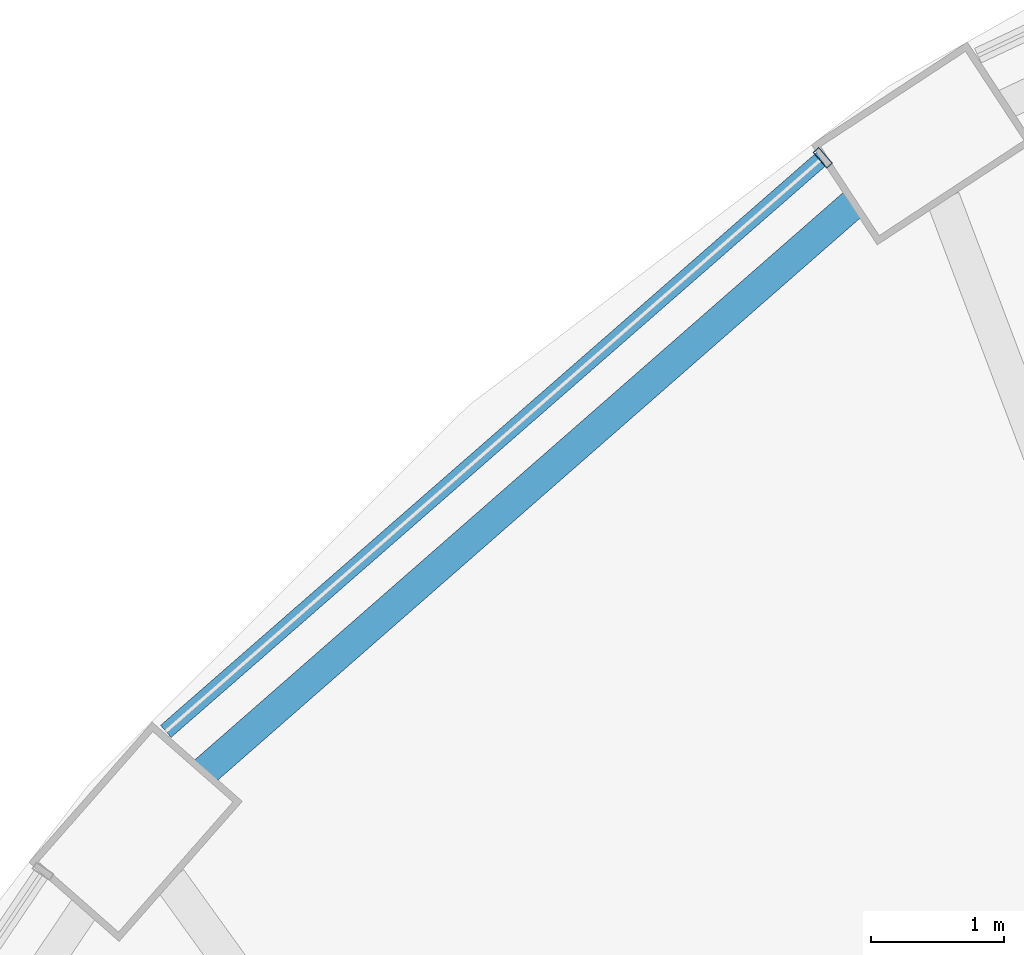
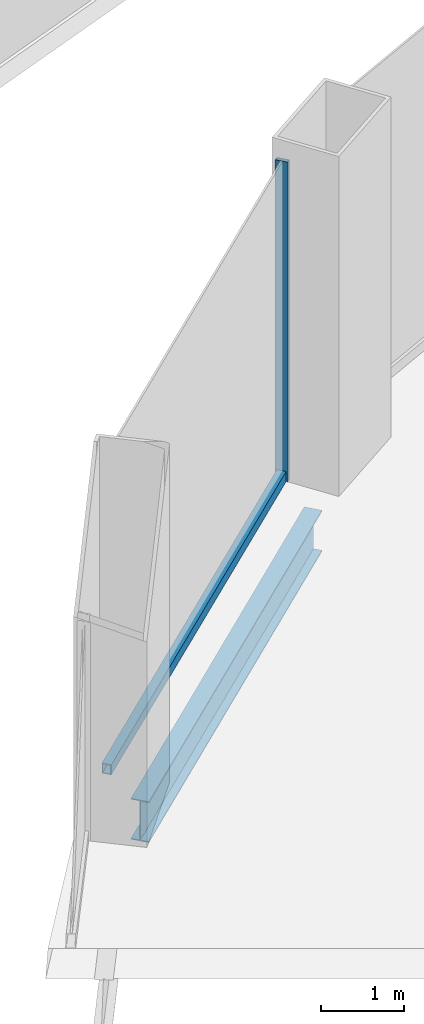
# One storey, part 29 of 47: 2 members, 1 beam, 1 element without a shape of its own.
"""IFC4 building model written with IfcOpenShell, lengths in metres."""

from ifc_helpers import new_model, si_unit, direction, frame, origin, origin_2d, place, context, subcontext, project, spatial, hollow_rectangle, i_section, extrude, material, layer, layer_set, material_profile, profile_set, type_object, element, aggregate, save


model = new_model("IFC4")

# Units and contexts
model_context = context("Model", 3, precision=1e-05, world=origin(), true_north=direction((0.0, 1.0)))
body_context = subcontext(model_context, "Body", "Model", "MODEL_VIEW")
ifc_project = project(units=[si_unit("LENGTHUNIT", "METRE"), si_unit("AREAUNIT", "SQUARE_METRE"), si_unit("VOLUMEUNIT", "CUBIC_METRE"), si_unit("PLANEANGLEUNIT", "RADIAN"), si_unit("MASSUNIT", "GRAM", prefix="KILO")], contexts=[model_context])

# Site, building, storey
site_placement = place(None, origin())
site = spatial("IfcSite", under=ifc_project, at=site_placement, CompositionType="ELEMENT")
building_placement = place(site_placement, origin())
building = spatial("IfcBuilding", under=site, at=building_placement, Name="Nagisa Residences", CompositionType="ELEMENT")
storey_placement = place(building_placement, frame((0.0, 0.0, 7.0)))
storey = spatial("IfcBuildingStorey", under=building, at=storey_placement, Name="L01", CompositionType="ELEMENT", Elevation=7.0)

# Curtain wall, members
ifc_material_1 = material(Name="Stainless steel curtain wall system", Category="steel")
ifc_layer = layer(ifc_material_1, 0.159912109375)
ifc_layer_set = layer_set([ifc_layer], Name="CW6 CURTAIN WALL")
curtain_wall_type = type_object("IfcCurtainWallType", Name="CW6 CURTAIN WALL", PredefinedType="NOTDEFINED", material=ifc_layer_set)
curtain_wall_placement = place(storey_placement, origin())
curtain_wall = element("IfcCurtainWall", 1, at=curtain_wall_placement, inside=storey, type_object=curtain_wall_type, Name="cw:CW6:L01:16", PredefinedType="NOTDEFINED")
ifc_material_2 = material(Name="Stainless steel", Category="steel")
ifc_material_profile_1 = material_profile(ifc_material_2, hollow_rectangle(XDim=0.159912109375, YDim=0.06005859375, WallThickness=0.006103515625, at=origin_2d()), Name="CW6 MULLION 160x60")
ifc_profile_set_1 = profile_set([ifc_material_profile_1], Name="Stainless steel")
member_type_1 = type_object("IfcMemberType", Name="CW6 MULLION 160x60", PredefinedType="MULLION", material=ifc_profile_set_1)
member_1_placement = place(storey_placement, frame((-11.397216796875, 28.038330078125, 0.0), z_axis=(0.0, 0.0, 1.0), x_axis=(0.657721475708, -0.753261216572, 0.0)))
member_1 = element("IfcMember", 2, at=member_1_placement, type_object=member_type_1, Name="CW6 mullion", PredefinedType="MULLION", context=body_context, shape_type="SweptSolid", body=[
    extrude(hollow_rectangle(XDim=0.159912109375, YDim=0.06005859375, WallThickness=0.006103515625, at=origin_2d()), origin(), (0.0, 0.0, 1.0), 4.699951171875),
])
ifc_material_3 = material(Name="Stainless steel", Category="steel")
ifc_material_profile_2 = material_profile(ifc_material_3, hollow_rectangle(XDim=0.1201171875, YDim=0.14990234375, WallThickness=0.008056640625, at=origin_2d()), Name="CW6 TRANSOM 120x150")
ifc_profile_set_2 = profile_set([ifc_material_profile_2], Name="Stainless steel")
member_type_2 = type_object("IfcMemberType", Name="CW6 TRANSOM 120x150", PredefinedType="USERDEFINED", material=ifc_profile_set_2)
member_2_placement = place(storey_placement, frame((-11.374755859375, 28.05810546875, 0.074951171875), z_axis=(-0.753255020636, -0.657728571591, 0.0), x_axis=(0.657728571591, -0.753255020636, 0.0)))
member_2 = element("IfcMember", 3, at=member_2_placement, type_object=member_type_2, Name="CW6 transom", ObjectType="TRANSOM", PredefinedType="USERDEFINED", context=body_context, shape_type="SweptSolid", body=[
    extrude(hollow_rectangle(XDim=0.1201171875, YDim=0.14990234375, WallThickness=0.008056640625, at=origin_2d()), origin(), (0.0, 0.0, 1.0), 6.5732421875),
])
aggregate(curtain_wall, [member_1, member_2])

# Beam
ifc_material_4 = material(Name="Steel ASTM A572 Gr 50", Category="steel")
ifc_material_profile_3 = material_profile(ifc_material_4, i_section(OverallWidth=0.22802734375, OverallDepth=0.60302734375, WebThickness=0.010498046875, FlangeThickness=0.014892578125, at=origin_2d()), Name="W610x101")
ifc_profile_set_3 = profile_set([ifc_material_profile_3], Name="Steel ASTM A572 Gr 50")
beam_type = type_object("IfcBeamType", Name="Perimeter ring beam W610x101", PredefinedType="BEAM", material=ifc_profile_set_3)
beam_placement = place(storey_placement, frame((-11.166748046875, 27.693603515625, -0.6015625), z_axis=(-0.752574357292, -0.658507279191, 0.0), x_axis=(0.658507279191, -0.752574357292, 0.0)))
element("IfcBeam", 4, at=beam_placement, inside=storey, type_object=beam_type, Name="beam:L01:pb09", PredefinedType="BEAM", context=body_context, shape_type="SweptSolid", body=[
    extrude(i_section(OverallWidth=0.22802734375, OverallDepth=0.60302734375, WebThickness=0.010498046875, FlangeThickness=0.014892578125, at=origin_2d()), origin(), (0.0, 0.0, 1.0), 6.47021484375),
])

save(model, "model.ifc")
